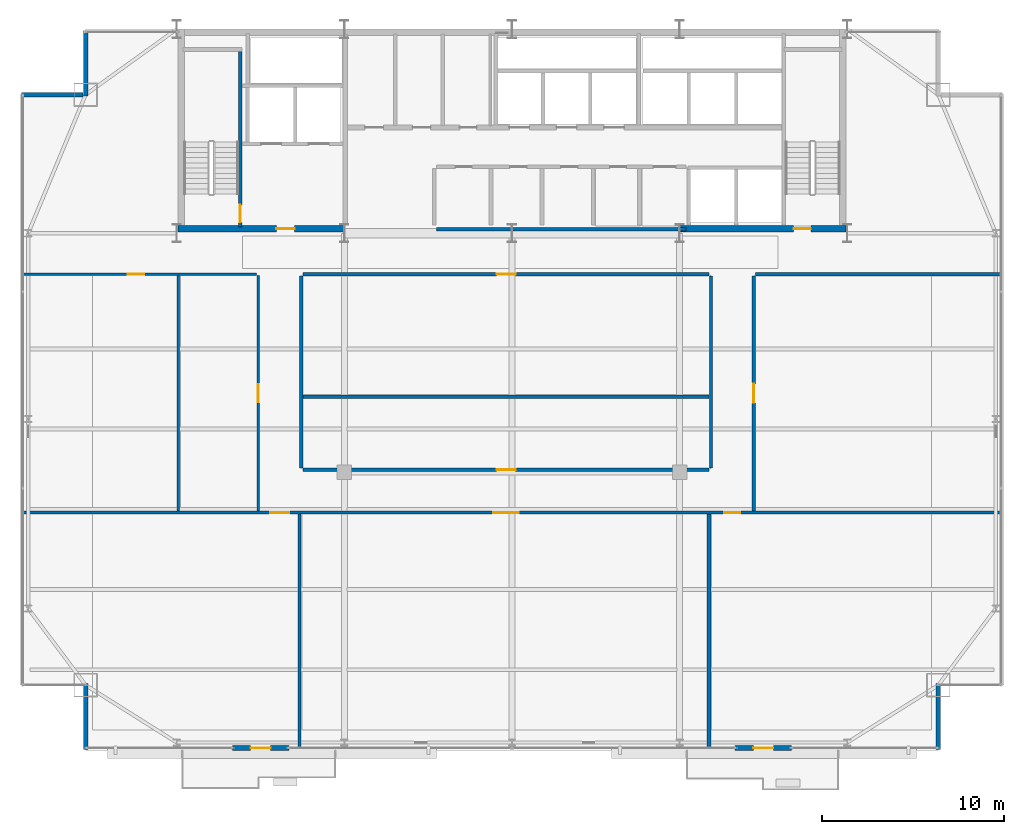
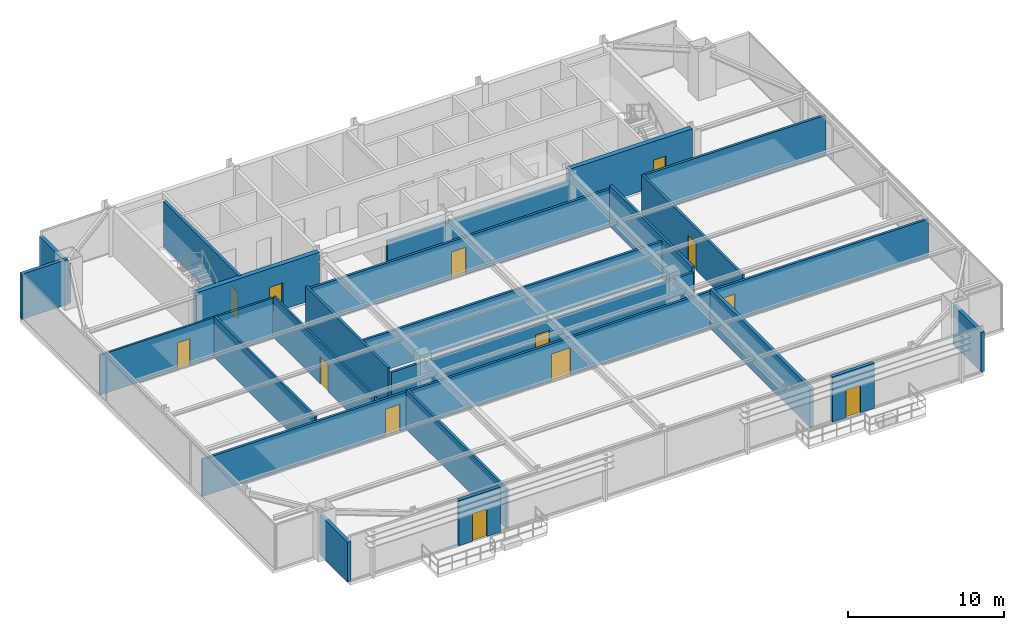
# One storey, part 27 of 31: 23 walls, 13 doors, 13 openings.
"""IFC4 building model written with IfcOpenShell, lengths in metres."""

import ifcopenshell
import ifcopenshell.guid

model = None  # the IFC model being written
_history = None  # IfcOwnerHistory: only IFC2X3 demands one
_inside = {}  # id of a spatial element -> (the spatial element, [elements in it])
_under = {}  # id of a project, library or spatial element -> (it, [spatial elements below it])
_declared = {}  # id of a project -> (the project, [libraries it declares])
_typed = {}  # id of a type object -> (the type object, [elements of that type])
_made_of = {}  # id of a material, layer set ... -> (it, [elements and type objects made of it])


def new_model(schema):
    """Start an empty IFC model of exactly this schema.

    Asked for "IFC4X3", IfcOpenShell would pick the latest addendum, in which some entities
    have other attributes; the version numbers below select the first issue.
    IFC2X3 requires an IfcOwnerHistory on every rooted entity: one is made here for all.
    """
    global model, _history
    if schema == "IFC4X3":
        model = ifcopenshell.file(schema_version=(4, 3, 0, 0))
    else:
        model = ifcopenshell.file(schema=schema)
    _inside.clear()
    _under.clear()
    _declared.clear()
    _typed.clear()
    _made_of.clear()
    _history = None
    if model.schema == "IFC2X3":
        org = make("IfcOrganization", Name="unknown")
        user = make(
            "IfcPersonAndOrganization",
            ThePerson=make("IfcPerson", FamilyName="unknown"),
            TheOrganization=org,
        )
        app = make(
            "IfcApplication",
            ApplicationDeveloper=org,
            Version="unknown",
            ApplicationFullName="unknown",
            ApplicationIdentifier="unknown",
        )
        _history = make(
            "IfcOwnerHistory",
            OwningUser=user,
            OwningApplication=app,
            ChangeAction="ADDED",
            CreationDate=0,
        )
    return model


def make(cls, **values):
    """One entity of the class cls with the attributes given. An attribute that is None is left unset."""
    return model.create_entity(
        cls, **{name: value for name, value in values.items() if value is not None}
    )


def rooted(cls, **values):
    """An entity with a GlobalId (a new one), such as an element, a storey or a relation."""
    return make(cls, GlobalId=ifcopenshell.guid.new(), OwnerHistory=_history, **values)


def si_unit(unit_type, name, prefix=None):
    """IfcSIUnit, for example si_unit("LENGTHUNIT", "METRE", prefix="MILLI")."""
    return make("IfcSIUnit", UnitType=unit_type, Prefix=prefix, Name=name)


def assignment(units):
    """IfcUnitAssignment: the units of a project."""
    return None if units is None else make("IfcUnitAssignment", Units=units)


def point(xyz):
    """IfcCartesianPoint."""
    return None if xyz is None else make("IfcCartesianPoint", Coordinates=xyz)


def direction(xyz):
    """IfcDirection."""
    return None if xyz is None else make("IfcDirection", DirectionRatios=xyz)


def frame(location, z_axis=None, x_axis=None):
    """IfcAxis2Placement3D, a coordinate frame: its origin and axes. An axis left out is left unset."""
    return make(
        "IfcAxis2Placement3D",
        Location=point(location),
        Axis=direction(z_axis),
        RefDirection=direction(x_axis),
    )


def frame_2d(location, x_axis=None):
    """IfcAxis2Placement2D, a coordinate frame in the plane: its origin and x axis."""
    return make(
        "IfcAxis2Placement2D", Location=point(location), RefDirection=direction(x_axis)
    )


def origin():
    """The frame at (0, 0, 0) with its axes left unset."""
    return frame((0.0, 0.0, 0.0))


def place(relative_to, where):
    """IfcLocalPlacement: puts the frame where relative to a parent placement (None: the world)."""
    return make(
        "IfcLocalPlacement", PlacementRelTo=relative_to, RelativePlacement=where
    )


def context(
    kind, dimensions, precision=None, world=None, true_north=None, identifier=None
):
    """IfcGeometricRepresentationContext, for example the 3D "Model" context."""
    return make(
        "IfcGeometricRepresentationContext",
        ContextIdentifier=identifier,
        ContextType=kind,
        CoordinateSpaceDimension=dimensions,
        Precision=precision,
        WorldCoordinateSystem=world,
        TrueNorth=true_north,
    )


def subcontext(parent, identifier, kind, view, scale=None):
    """IfcGeometricRepresentationSubContext, for example "Body" below "Model"."""
    return make(
        "IfcGeometricRepresentationSubContext",
        ContextIdentifier=identifier,
        ContextType=kind,
        ParentContext=parent,
        TargetScale=scale,
        TargetView=view,
    )


def project(units=None, contexts=None):
    """IfcProject with its units and contexts."""
    return rooted(
        "IfcProject",
        Name="project",
        RepresentationContexts=contexts,
        UnitsInContext=assignment(units),
    )


def spatial(cls, under=None, at=None, **own):
    """A site, building, storey or space (cls), placed at a placement, below another one or the project."""
    s = rooted(cls, ObjectPlacement=at, **own)
    if under is not None:
        _under.setdefault(under.id(), (under, []))[1].append(s)
    return s


def profile(cls, at=None, kind="AREA", **sizes):
    """A parametric profile (cls). Its sizes go by their IFC names, for example OverallWidth=200.0."""
    return make(cls, ProfileType=kind, Position=at, **sizes)


def rectangle(**sizes):
    """IfcRectangleProfileDef."""
    return profile("IfcRectangleProfileDef", **sizes)


def extrude(swept, where, along, depth):
    """IfcExtrudedAreaSolid: the profile swept, set in the frame where, extruded along a direction by depth."""
    return make(
        "IfcExtrudedAreaSolid",
        SweptArea=swept,
        Position=where,
        ExtrudedDirection=direction(along),
        Depth=depth,
    )


def shape(context_of_items, identifier, shape_type, items):
    """IfcShapeRepresentation: the items that make up one representation, for example the "Body"."""
    return make(
        "IfcShapeRepresentation",
        ContextOfItems=context_of_items,
        RepresentationIdentifier=identifier,
        RepresentationType=shape_type,
        Items=items,
    )


def source(mapping_origin, context_of_items, identifier, shape_type, items):
    """IfcRepresentationMap: a shape defined once, which mapped items show again and again."""
    return make(
        "IfcRepresentationMap",
        MappingOrigin=mapping_origin,
        MappedRepresentation=shape(context_of_items, identifier, shape_type, items),
    )


def transform(
    local_origin,
    x_axis=None,
    y_axis=None,
    z_axis=None,
    scale=None,
    scale2=None,
    scale3=None,
    uniform=True,
):
    """IfcCartesianTransformationOperator3D, or its non-uniform kind. x_axis, y_axis, z_axis: its Axis1, 2, 3."""
    if uniform:
        return make(
            "IfcCartesianTransformationOperator3D",
            Axis1=direction(x_axis),
            Axis2=direction(y_axis),
            LocalOrigin=point(local_origin),
            Scale=scale,
            Axis3=direction(z_axis),
        )
    return make(
        "IfcCartesianTransformationOperator3DnonUniform",
        Axis1=direction(x_axis),
        Axis2=direction(y_axis),
        LocalOrigin=point(local_origin),
        Scale=scale,
        Axis3=direction(z_axis),
        Scale2=scale2,
        Scale3=scale3,
    )


def mapped(mapping_source, mapping_target):
    """IfcMappedItem: shows the shape of a source again, moved by a transform."""
    return make(
        "IfcMappedItem", MappingSource=mapping_source, MappingTarget=mapping_target
    )


def material(Name=None, Category=None):
    """IfcMaterial."""
    return make("IfcMaterial", Name=Name, Category=Category)


def layer(
    of_material, thickness, ventilated=None, Name=None, Category=None, Priority=None
):
    """IfcMaterialLayer: one layer of a wall or slab, of a material (None: an air gap)."""
    return make(
        "IfcMaterialLayer",
        Material=of_material,
        LayerThickness=thickness,
        IsVentilated=ventilated,
        Name=Name,
        Category=Category,
        Priority=Priority,
    )


def layer_set(layers, Name=None):
    """IfcMaterialLayerSet."""
    return make("IfcMaterialLayerSet", MaterialLayers=layers, LayerSetName=Name)


def made_of(thing, what):
    """Note that an element or type object is made of a material, layer set ...; save() writes the relation."""
    if what is not None:
        _made_of.setdefault(what.id(), (what, []))[1].append(thing)
    return thing


def type_object(cls, material=None, **own):
    """A type object (cls), such as IfcWallType, which elements share."""
    return made_of(rooted(cls, **own), material)


def type_shapes(of_type, sources):
    """Give a type object the sources (RepresentationMaps) that its elements show as mapped items."""
    of_type.RepresentationMaps = sources


def element(
    cls,
    number,
    at=None,
    inside=None,
    cuts=None,
    type_object=None,
    material=None,
    context=None,
    identifier="Body",
    shape_type=None,
    held_by="IfcProductDefinitionShape",
    body=None,
    shapes=None,
    **own,
):
    """One element of the class cls, such as IfcWall. Its Tag is "e" and its number.

    at: its placement. inside: the storey or other place that contains it. cuts: it is an
    opening in that element (IfcRelVoidsElement). A single representation is given by context,
    identifier, shape_type and body (its items); several are given by shapes. held_by: the class
    of the entity that holds the representations. save() writes the other relations.
    """
    e = rooted(cls, Tag="e%d" % number, ObjectPlacement=at, **own)
    if body is not None:
        shapes = [shape(context, identifier, shape_type, body)]
    if shapes is not None:
        e.Representation = make(held_by, Representations=shapes)
    if inside is not None:
        _inside.setdefault(inside.id(), (inside, []))[1].append(e)
    if cuts is not None:
        rooted(
            "IfcRelVoidsElement", RelatingBuildingElement=cuts, RelatedOpeningElement=e
        )
    if type_object is not None:
        _typed.setdefault(type_object.id(), (type_object, []))[1].append(e)
    return made_of(e, material)


def fill(opening, filler):
    """IfcRelFillsElement: the door or window that sits in an opening."""
    return rooted(
        "IfcRelFillsElement",
        RelatingOpeningElement=opening,
        RelatedBuildingElement=filler,
    )


def aggregate(whole, parts):
    """IfcRelAggregates: a whole, such as a stair, and the parts it consists of."""
    return rooted("IfcRelAggregates", RelatingObject=whole, RelatedObjects=parts)


def save(model, path):
    """Write the relations noted so far, then the file.

    IfcRelAggregates (storeys below a building ...), IfcRelContainedInSpatialStructure (elements
    in a storey), IfcRelDefinesByType, IfcRelAssociatesMaterial and IfcRelDeclares: one each for
    every whole, place, type object, material and project.
    """
    for whole, parts in _under.values():
        aggregate(whole, parts)
    for where, things in _inside.values():
        rooted(
            "IfcRelContainedInSpatialStructure",
            RelatedElements=things,
            RelatingStructure=where,
        )
    for kind, things in _typed.values():
        rooted("IfcRelDefinesByType", RelatedObjects=things, RelatingType=kind)
    for what, things in _made_of.values():
        rooted("IfcRelAssociatesMaterial", RelatedObjects=things, RelatingMaterial=what)
    for by, libraries in _declared.values():
        rooted("IfcRelDeclares", RelatingContext=by, RelatedDefinitions=libraries)
    model.write(path)


model = new_model("IFC4")

# Units and contexts
model_context = context("Model", 3, precision=1e-05, world=origin(), true_north=direction((0.0, 1.0)))
body_context = subcontext(model_context, "Body", "Model", "MODEL_VIEW")
ifc_project = project(units=[si_unit("LENGTHUNIT", "METRE"), si_unit("AREAUNIT", "SQUARE_METRE"), si_unit("VOLUMEUNIT", "CUBIC_METRE"), si_unit("PLANEANGLEUNIT", "RADIAN"), si_unit("MASSUNIT", "GRAM", prefix="KILO")], contexts=[model_context])

# Site, building, storey
site_placement = place(None, origin())
site = spatial("IfcSite", under=ifc_project, at=site_placement, CompositionType="ELEMENT")
building_placement = place(site_placement, origin())
building = spatial("IfcBuilding", under=site, at=building_placement, Name="Varnel Quay Broadcast Tower", CompositionType="ELEMENT")
storey_placement = place(building_placement, frame((0.0, 0.0, 153.39990234375)))
storey = spatial("IfcBuildingStorey", under=building, at=storey_placement, Name="L37", CompositionType="ELEMENT", Elevation=153.39990234375)

# Wall, opening, door
ifc_material_1 = material(Name="Concrete CSA A23.3 C50/60", Category="concrete")
ifc_layer_1 = layer(ifc_material_1, 0.199951171875, Name="Concrete CSA A23.3 C50/60")
ifc_layer_set_1 = layer_set([ifc_layer_1], Name="Concrete CSA A23.3 C50/60")
wall_type_1 = type_object("IfcWallType", Name="Wall_CoreShaftShear200", PredefinedType="SHEAR", material=ifc_layer_set_1)
wall_1_placement = place(storey_placement, frame((19.080078125, 35.949951171875, 0.0), z_axis=(0.0, 0.0, 1.0), x_axis=(0.0, 1.0, 0.0)))
wall_1 = element("IfcWall", 1, at=wall_1_placement, inside=storey, type_object=wall_type_1, Name="L37 Stair 1 East Structural Wall", PredefinedType="SHEAR", context=body_context, shape_type="SweptSolid", body=[
    extrude(rectangle(XDim=9.650146484375, YDim=0.199951171875, at=frame_2d((4.8251953125, 0.0))), origin(), (0.0, 0.0, 1.0), 3.550048828125),
])
opening_1_placement = place(wall_1_placement, frame((0.25, 0.0, 0.0)))
opening_1 = element("IfcOpeningElement", 2, at=opening_1_placement, cuts=wall_1, Name="Opening D-L37-S1", PredefinedType="OPENING", context=body_context, shape_type="SweptSolid", body=[
    extrude(rectangle(XDim=0.949951171875, YDim=2.10009765625, at=frame_2d((0.47509765625, 1.050048828125))), frame((0.0, 0.10986328125, 0.0), z_axis=(0.0, -1.0, 0.0), x_axis=(1.0, 0.0, 0.0)), (0.0, 0.0, 1.0), 0.219970703125),
])
ifc_material_2 = material(Name="Insulated Fire-Rated Hollow Steel Door", Category="steel")
door_type_1 = type_object("IfcDoorType", Name="Door_FireStair950", OperationType="NOTDEFINED", PredefinedType="DOOR", material=ifc_material_2)
shared_shape_1 = source(origin(), body_context, "Body", "SweptSolid", [
    extrude(rectangle(XDim=0.949951171875, YDim=2.10009765625, at=frame_2d((0.47509765625, 1.050048828125))), frame((0.0, 0.02490234375, 0.0), z_axis=(0.0, -1.0, 0.0), x_axis=(1.0, 0.0, 0.0)), (0.0, 0.0, 1.0), 0.050048828125),
])
type_shapes(door_type_1, [shared_shape_1])
door_1_placement = place(opening_1_placement, origin())
door_1 = element("IfcDoor", 3, at=door_1_placement, inside=storey, type_object=door_type_1, Name="L37 Stair 1 Fire Door", OperationType="SINGLE_SWING_RIGHT", OverallHeight=2.10009765625, OverallWidth=0.949951171875, PredefinedType="DOOR", context=body_context, shape_type="MappedRepresentation", body=[
    mapped(shared_shape_1, transform((0.0, 0.0, 0.0), x_axis=(1.0, 0.0, 0.0), y_axis=(0.0, 1.0, 0.0), z_axis=(0.0, 0.0, 1.0), scale=1.0)),
])
fill(opening_1, door_1)

ifc_layer_2 = layer(ifc_material_1, 0.35009765625, Name="Concrete CSA A23.3 C50/60")
ifc_layer_set_2 = layer_set([ifc_layer_2], Name="Concrete CSA A23.3 C50/60")
wall_type_2 = type_object("IfcWallType", Name="Wall_CoreShearInt350", PredefinedType="SHEAR", material=ifc_layer_set_2)
wall_2_placement = place(storey_placement, frame((15.669921875, 35.844970703125, 0.0), z_axis=(0.0, 0.0, 1.0), x_axis=(1.0, 0.0, 0.0)))
wall_2 = element("IfcWall", 4, at=wall_2_placement, inside=storey, type_object=wall_type_2, Name="L37 South-West Core Shear Wall", PredefinedType="SHEAR", context=body_context, shape_type="SweptSolid", body=[
    extrude(rectangle(XDim=9.130126953125, YDim=0.35009765625, at=frame_2d((4.56494140625, 0.0))), origin(), (0.0, 0.0, 1.0), 3.550048828125),
])
opening_2_placement = place(wall_2_placement, frame((5.39990234375, 0.0, 0.0)))
opening_2 = element("IfcOpeningElement", 5, at=opening_2_placement, cuts=wall_2, Name="Opening D-L37-FFL", PredefinedType="OPENING", context=body_context, shape_type="SweptSolid", body=[
    extrude(rectangle(XDim=1.0, YDim=2.10009765625, at=frame_2d((0.5, 1.050048828125))), frame((0.0, 0.18505859375, 0.0), z_axis=(0.0, -1.0, 0.0), x_axis=(1.0, 0.0, 0.0)), (0.0, 0.0, 1.0), 0.3701171875),
])
door_type_2 = type_object("IfcDoorType", Name="Door_FireLobby1000", OperationType="NOTDEFINED", PredefinedType="DOOR", material=ifc_material_2)
shared_shape_2 = source(origin(), body_context, "Body", "SweptSolid", [
    extrude(rectangle(XDim=1.0, YDim=2.10009765625, at=frame_2d((0.5, 1.050048828125))), frame((0.0, 0.02490234375, 0.0), z_axis=(0.0, -1.0, 0.0), x_axis=(1.0, 0.0, 0.0)), (0.0, 0.0, 1.0), 0.050048828125),
])
type_shapes(door_type_2, [shared_shape_2])
door_2_placement = place(opening_2_placement, origin())
door_2 = element("IfcDoor", 6, at=door_2_placement, inside=storey, type_object=door_type_2, Name="L37 Firefighting Lobby Door", OperationType="SINGLE_SWING_LEFT", OverallHeight=2.10009765625, OverallWidth=1.0, PredefinedType="DOOR", context=body_context, shape_type="MappedRepresentation", body=[
    mapped(shared_shape_2, transform((0.0, 0.0, 0.0), x_axis=(1.0, 0.0, 0.0), y_axis=(0.0, 1.0, 0.0), z_axis=(0.0, 0.0, 1.0), scale=1.0)),
])
fill(opening_2, door_2)

wall_3_placement = place(storey_placement, frame((43.199951171875, 35.844970703125, 0.0), z_axis=(0.0, 0.0, 1.0), x_axis=(1.0, 0.0, 0.0)))
wall_3 = element("IfcWall", 7, at=wall_3_placement, inside=storey, type_object=wall_type_2, Name="L37 South-East Core Shear Wall", PredefinedType="SHEAR", context=body_context, shape_type="SweptSolid", body=[
    extrude(rectangle(XDim=9.130126953125, YDim=0.35009765625, at=frame_2d((4.56494140625, 0.0))), origin(), (0.0, 0.0, 1.0), 3.550048828125),
])
opening_3_placement = place(wall_3_placement, frame((6.25, 0.0, 0.0)))
opening_3 = element("IfcOpeningElement", 8, at=opening_3_placement, cuts=wall_3, Name="Opening D-L37-S2", PredefinedType="OPENING", context=body_context, shape_type="SweptSolid", body=[
    extrude(rectangle(XDim=0.949951171875, YDim=2.10009765625, at=frame_2d((0.47509765625, 1.050048828125))), frame((0.0, 0.18505859375, 0.0), z_axis=(0.0, -1.0, 0.0), x_axis=(1.0, 0.0, 0.0)), (0.0, 0.0, 1.0), 0.3701171875),
])
door_3_placement = place(opening_3_placement, origin())
door_3 = element("IfcDoor", 9, at=door_3_placement, inside=storey, type_object=door_type_1, Name="L37 Stair 2 Fire Door", OperationType="SINGLE_SWING_RIGHT", OverallHeight=2.10009765625, OverallWidth=0.949951171875, PredefinedType="DOOR", context=body_context, shape_type="MappedRepresentation", body=[
    mapped(shared_shape_1, transform((0.0, 0.0, 0.0), x_axis=(1.0, 0.0, 0.0), y_axis=(0.0, 1.0, 0.0), z_axis=(0.0, 0.0, 1.0), scale=1.0)),
])
fill(opening_3, door_3)

ifc_material_3 = material(Name="Precast Architectural Concrete C40/50", Category="concrete")
ifc_layer_3 = layer(ifc_material_3, 0.25, Name="Precast Architectural Concrete C40/50")
ifc_layer_set_3 = layer_set([ifc_layer_3], Name="Precast Architectural Concrete C40/50")
wall_type_3 = type_object("IfcWallType", Name="Wall_ExtTerrace250", PredefinedType="SOLIDWALL", material=ifc_layer_set_3)
wall_4_placement = place(storey_placement, frame((18.64990234375, 7.35009765625, 0.0), z_axis=(0.0, 0.0, 1.0), x_axis=(1.0, 0.0, 0.0)))
wall_4 = element("IfcWall", 10, at=wall_4_placement, inside=storey, type_object=wall_type_3, Name="L37 Terrace Access Wall 1", PredefinedType="SOLIDWALL", context=body_context, shape_type="SweptSolid", body=[
    extrude(rectangle(XDim=3.10009765625, YDim=0.25, at=frame_2d((1.550048828125, 0.0))), origin(), (0.0, 0.0, 1.0), 3.530029296875),
])
opening_4_placement = place(wall_4_placement, frame((1.0, 0.0, 0.0)))
opening_4 = element("IfcOpeningElement", 11, at=opening_4_placement, cuts=wall_4, Name="Opening TD-371", PredefinedType="OPENING", context=body_context, shape_type="SweptSolid", body=[
    extrude(rectangle(XDim=1.10009765625, YDim=2.14990234375, at=frame_2d((0.550048828125, 1.074951171875))), frame((0.0, 0.135009765625, 0.0), z_axis=(0.0, -1.0, 0.0), x_axis=(1.0, 0.0, 0.0)), (0.0, 0.0, 1.0), 0.27001953125),
])
ifc_material_4 = material(Name="Anodised Bronze Aluminium 6063-T6", Category="aluminium")
door_type_3 = type_object("IfcDoorType", Name="Door_ExtTerrace1100", OperationType="NOTDEFINED", PredefinedType="DOOR", material=ifc_material_4)
shared_shape_3 = source(origin(), body_context, "Body", "SweptSolid", [
    extrude(rectangle(XDim=1.10009765625, YDim=2.14990234375, at=frame_2d((0.550048828125, 1.074951171875))), frame((0.0, 0.02490234375, 0.0), z_axis=(0.0, -1.0, 0.0), x_axis=(1.0, 0.0, 0.0)), (0.0, 0.0, 1.0), 0.050048828125),
])
type_shapes(door_type_3, [shared_shape_3])
door_4_placement = place(opening_4_placement, frame((1.10009765625, 0.0, 0.0), z_axis=(0.0, 0.0, 1.0), x_axis=(-1.0, 0.0, 0.0)))
door_4 = element("IfcDoor", 12, at=door_4_placement, inside=storey, type_object=door_type_3, Name="L37 Terrace Door TD-371", OperationType="SINGLE_SWING_LEFT", OverallHeight=2.14990234375, OverallWidth=1.10009765625, PredefinedType="DOOR", context=body_context, shape_type="MappedRepresentation", body=[
    mapped(shared_shape_3, transform((0.0, 0.0, 0.0), x_axis=(1.0, 0.0, 0.0), y_axis=(0.0, 1.0, 0.0), z_axis=(0.0, 0.0, 1.0), scale=1.0)),
])
fill(opening_4, door_4)

wall_5_placement = place(storey_placement, frame((46.25, 7.35009765625, 0.0), z_axis=(0.0, 0.0, 1.0), x_axis=(1.0, 0.0, 0.0)))
wall_5 = element("IfcWall", 13, at=wall_5_placement, inside=storey, type_object=wall_type_3, Name="L37 Terrace Access Wall 2", PredefinedType="SOLIDWALL", context=body_context, shape_type="SweptSolid", body=[
    extrude(rectangle(XDim=3.10009765625, YDim=0.25, at=frame_2d((1.550048828125, 0.0))), origin(), (0.0, 0.0, 1.0), 3.530029296875),
])
opening_5_placement = place(wall_5_placement, frame((1.0, 0.0, 0.0)))
opening_5 = element("IfcOpeningElement", 14, at=opening_5_placement, cuts=wall_5, Name="Opening TD-372", PredefinedType="OPENING", context=body_context, shape_type="SweptSolid", body=[
    extrude(rectangle(XDim=1.10009765625, YDim=2.14990234375, at=frame_2d((0.550048828125, 1.074951171875))), frame((0.0, 0.135009765625, 0.0), z_axis=(0.0, -1.0, 0.0), x_axis=(1.0, 0.0, 0.0)), (0.0, 0.0, 1.0), 0.27001953125),
])
door_5_placement = place(opening_5_placement, frame((1.10009765625, 0.0, 0.0), z_axis=(0.0, 0.0, 1.0), x_axis=(-1.0, 0.0, 0.0)))
door_5 = element("IfcDoor", 15, at=door_5_placement, inside=storey, type_object=door_type_3, Name="L37 Terrace Door TD-372", OperationType="SINGLE_SWING_RIGHT", OverallHeight=2.14990234375, OverallWidth=1.10009765625, PredefinedType="DOOR", context=body_context, shape_type="MappedRepresentation", body=[
    mapped(shared_shape_3, transform((0.0, 0.0, 0.0), x_axis=(1.0, 0.0, 0.0), y_axis=(0.0, 1.0, 0.0), z_axis=(0.0, 0.0, 1.0), scale=1.0)),
])
fill(opening_5, door_5)

# Walls
for number, where, z_axis, x_axis, name in (
    (16, (10.60009765625, 7.280029296875, 0.0), (0.0, 0.0, 1.0), (0.0, 1.0, 0.0), "L37 Mega-Column Notch Cladding Wall NSW2"),
    (17, (57.39990234375, 7.280029296875, 0.0), (0.0, 0.0, 1.0), (0.0, 1.0, 0.0), "L37 Mega-Column Notch Cladding Wall NSE2"),
):
    element("IfcWall", number, at=place(storey_placement, frame(where, z_axis=z_axis, x_axis=x_axis)), inside=storey, type_object=wall_type_3, Name=name, PredefinedType="SOLIDWALL", context=body_context, shape_type="SweptSolid", body=[
        extrude(rectangle(XDim=3.599853515625, YDim=0.25, at=frame_2d((1.7998046875, 0.0))), origin(), (0.0, 0.0, 1.0), 3.108154296875),
    ])
wall_6_placement = place(storey_placement, frame((7.080078125, 43.199951171875, 0.0), z_axis=(0.0, 0.0, 1.0), x_axis=(1.0, 0.0, 0.0)))
element("IfcWall", 18, at=wall_6_placement, inside=storey, type_object=wall_type_3, Name="L37 Mega-Column Notch Cladding Wall NNW1", PredefinedType="SOLIDWALL", context=body_context, shape_type="SweptSolid", body=[
    extrude(rectangle(XDim=3.389892578125, YDim=0.25, at=frame_2d((1.69482421875, 0.0))), origin(), (0.0, 0.0, 1.0), 3.530029296875),
])
wall_7_placement = place(storey_placement, frame((10.60009765625, 43.1201171875, 0.0), z_axis=(0.0, 0.0, 1.0), x_axis=(0.0, 1.0, 0.0)))
element("IfcWall", 19, at=wall_7_placement, inside=storey, type_object=wall_type_3, Name="L37 Mega-Column Notch Cladding Wall NNW2", PredefinedType="SOLIDWALL", context=body_context, shape_type="SweptSolid", body=[
    extrude(rectangle(XDim=3.599853515625, YDim=0.25, at=frame_2d((1.7998046875, 0.0))), origin(), (0.0, 0.0, 1.0), 3.108154296875),
])
ifc_material_5 = material(Name="Concrete Blockwork Fire Enclosure C40/50", Category="masonry")
ifc_layer_4 = layer(ifc_material_5, 0.199951171875, Name="Concrete Blockwork Fire Enclosure C40/50")
ifc_layer_set_4 = layer_set([ifc_layer_4], Name="Concrete Blockwork Fire Enclosure C40/50")
wall_type_4 = type_object("IfcWallType", Name="Wall_FireShaft200", PredefinedType="SOLIDWALL", material=ifc_layer_set_4)
wall_8_placement = place(storey_placement, frame((29.85009765625, 35.824951171875, 0.0), z_axis=(0.0, 0.0, 1.0), x_axis=(1.0, 0.0, 0.0)))
element("IfcWall", 20, at=wall_8_placement, inside=storey, type_object=wall_type_4, Name="L37 Accessible Washroom Partition 1", PredefinedType="SOLIDWALL", context=body_context, shape_type="SweptSolid", body=[
    extrude(rectangle(XDim=13.699951171875, YDim=0.199951171875, at=frame_2d((6.85009765625, 0.0))), origin(), (0.0, 0.0, 1.0), 2.5751953125),
])

# Wall, opening, door
ifc_material_6 = material(Name="Steel-Stud Fire-Rated Acoustic Gypsum Partition Assembly", Category="steel")
ifc_layer_5 = layer(ifc_material_6, 0.139892578125, Name="Steel-Stud Fire-Rated Acoustic Gypsum Partition Assembly")
ifc_layer_set_5 = layer_set([ifc_layer_5], Name="Steel-Stud Fire-Rated Acoustic Gypsum Partition Assembly")
wall_type_5 = type_object("IfcWallType", Name="Wall_Partition140", PredefinedType="PARTITIONING", material=ifc_layer_set_5)
wall_9_placement = place(storey_placement, frame((20.080078125, 20.35693359375, 0.0), z_axis=(0.0, 0.0, 1.0), x_axis=(0.0, 1.0, 0.0)))
wall_9 = element("IfcWall", 21, at=wall_9_placement, inside=storey, type_object=wall_type_5, Name="L37 Reading Lounge 5 Partition 13", PredefinedType="PARTITIONING", context=body_context, shape_type="SweptSolid", body=[
    extrude(rectangle(XDim=12.91796875, YDim=0.139892578125, at=frame_2d((6.458984375, 0.0))), origin(), (0.0, 0.0, 1.0), 3.22216796875),
])
opening_6_placement = place(wall_9_placement, frame((5.952880859375, 0.0, 0.0)))
opening_6 = element("IfcOpeningElement", 22, at=opening_6_placement, cuts=wall_9, Name="Opening D-L37-10", PredefinedType="OPENING", context=body_context, shape_type="SweptSolid", body=[
    extrude(rectangle(XDim=1.0, YDim=2.10009765625, at=frame_2d((0.5, 1.050048828125))), frame((0.0, 0.080078125, 0.0), z_axis=(0.0, -1.0, 0.0), x_axis=(1.0, 0.0, 0.0)), (0.0, 0.0, 1.0), 0.159912109375),
])
ifc_material_7 = material(Name="Solid-Core Fire-Rated Acoustic Oak Veneer Door", Category="wood")
door_type_4 = type_object("IfcDoorType", Name="Door_Exec1000", OperationType="NOTDEFINED", PredefinedType="DOOR", material=ifc_material_7)
shared_shape_4 = source(origin(), body_context, "Body", "SweptSolid", [
    extrude(rectangle(XDim=1.0, YDim=2.10009765625, at=frame_2d((0.5, 1.050048828125))), frame((0.0, 0.02490234375, 0.0), z_axis=(0.0, -1.0, 0.0), x_axis=(1.0, 0.0, 0.0)), (0.0, 0.0, 1.0), 0.050048828125),
])
type_shapes(door_type_4, [shared_shape_4])
door_6_placement = place(opening_6_placement, origin())
door_6 = element("IfcDoor", 23, at=door_6_placement, inside=storey, type_object=door_type_4, Name="L37 Reading Lounge 5 Door D-L37-10", OperationType="SINGLE_SWING_RIGHT", OverallHeight=2.10009765625, OverallWidth=1.0, PredefinedType="DOOR", context=body_context, shape_type="MappedRepresentation", body=[
    mapped(shared_shape_4, transform((0.0, 0.0, 0.0), x_axis=(1.0, 0.0, 0.0), y_axis=(0.0, 1.0, 0.0), z_axis=(0.0, 0.0, 1.0), scale=1.0)),
])
fill(opening_6, door_6)

# Wall
ifc_layer_6 = layer(ifc_material_6, 0.14990234375, Name="Steel-Stud Fire-Rated Acoustic Gypsum Partition Assembly")
ifc_layer_set_6 = layer_set([ifc_layer_6], Name="Steel-Stud Fire-Rated Acoustic Gypsum Partition Assembly")
wall_type_6 = type_object("IfcWallType", Name="Wall_Partition150", PredefinedType="PARTITIONING", material=ifc_layer_set_6)
wall_10_placement = place(storey_placement, frame((15.679931640625, 20.35693359375, 0.0), z_axis=(0.0, 0.0, 1.0), x_axis=(0.0, 1.0, 0.0)))
element("IfcWall", 24, at=wall_10_placement, inside=storey, type_object=wall_type_6, Name="L37 Bureau Office 4 Partition 11", PredefinedType="PARTITIONING", context=body_context, shape_type="SweptSolid", body=[
    extrude(rectangle(XDim=12.91796875, YDim=0.14990234375, at=frame_2d((6.458984375, 0.0))), origin(), (0.0, 0.0, 1.0), 3.22216796875),
])

# Wall, opening, door
wall_11_placement = place(storey_placement, frame((7.179931640625, 33.35009765625, 0.0), z_axis=(0.0, 0.0, 1.0), x_axis=(1.0, 0.0, 0.0)))
wall_11 = element("IfcWall", 25, at=wall_11_placement, inside=storey, type_object=wall_type_6, Name="L37 Bureau Office 4 Partition 12", PredefinedType="PARTITIONING", context=body_context, shape_type="SweptSolid", body=[
    extrude(rectangle(XDim=12.800048828125, YDim=0.14990234375, at=frame_2d((6.39990234375, 0.0))), origin(), (0.0, 0.0, 1.0), 3.108154296875),
])
opening_7_placement = place(wall_11_placement, frame((5.72509765625, 0.0, 0.0)))
opening_7 = element("IfcOpeningElement", 26, at=opening_7_placement, cuts=wall_11, Name="Opening D-L37-09", PredefinedType="OPENING", context=body_context, shape_type="SweptSolid", body=[
    extrude(rectangle(XDim=0.919921875, YDim=2.080078125, at=frame_2d((0.4599609375, 1.0400390625))), frame((0.0, 0.0849609375, 0.0), z_axis=(0.0, -1.0, 0.0), x_axis=(1.0, 0.0, 0.0)), (0.0, 0.0, 1.0), 0.169921875),
])
door_type_5 = type_object("IfcDoorType", Name="Door_Office920", OperationType="NOTDEFINED", PredefinedType="DOOR", material=ifc_material_7)
shared_shape_5 = source(origin(), body_context, "Body", "SweptSolid", [
    extrude(rectangle(XDim=0.919921875, YDim=2.080078125, at=frame_2d((0.4599609375, 1.0400390625))), frame((0.0, 0.02490234375, 0.0), z_axis=(0.0, -1.0, 0.0), x_axis=(1.0, 0.0, 0.0)), (0.0, 0.0, 1.0), 0.050048828125),
])
type_shapes(door_type_5, [shared_shape_5])
door_7_placement = place(opening_7_placement, frame((0.919921875, 0.0, 0.0), z_axis=(0.0, 0.0, 1.0), x_axis=(-1.0, 0.0, 0.0)))
door_7 = element("IfcDoor", 27, at=door_7_placement, inside=storey, type_object=door_type_5, Name="L37 Bureau Office 4 Door D-L37-09", OperationType="SINGLE_SWING_LEFT", OverallHeight=2.080078125, OverallWidth=0.919921875, PredefinedType="DOOR", context=body_context, shape_type="MappedRepresentation", body=[
    mapped(shared_shape_5, transform((0.0, 0.0, 0.0), x_axis=(1.0, 0.0, 0.0), y_axis=(0.0, 1.0, 0.0), z_axis=(0.0, 0.0, 1.0), scale=1.0)),
])
fill(opening_7, door_7)

# Wall
ifc_layer_7 = layer(ifc_material_6, 0.175048828125, Name="Steel-Stud Fire-Rated Acoustic Gypsum Partition Assembly")
ifc_layer_set_7 = layer_set([ifc_layer_7], Name="Steel-Stud Fire-Rated Acoustic Gypsum Partition Assembly")
wall_type_7 = type_object("IfcWallType", Name="Wall_Partition175", PredefinedType="PARTITIONING", material=ifc_layer_set_7)
wall_12_placement = place(storey_placement, frame((22.330078125, 7.3798828125, 0.0), z_axis=(0.0, 0.0, 1.0), x_axis=(0.0, 1.0, 0.0)))
element("IfcWall", 28, at=wall_12_placement, inside=storey, type_object=wall_type_7, Name="L37 Editorial Huddle Room 1 Partition 8", PredefinedType="PARTITIONING", context=body_context, shape_type="SweptSolid", body=[
    extrude(rectangle(XDim=12.80322265625, YDim=0.175048828125, at=frame_2d((6.401611328125, 0.0))), origin(), (0.0, 0.0, 1.0), 3.108154296875),
])

# Wall, openings, doors
wall_13_placement = place(storey_placement, frame((7.179931640625, 20.27001953125, 0.0), z_axis=(0.0, 0.0, 1.0), x_axis=(1.0, 0.0, 0.0)))
wall_13 = element("IfcWall", 29, at=wall_13_placement, inside=storey, type_object=wall_type_7, Name="L37 Editorial Huddle Room 1 Partition 9", PredefinedType="PARTITIONING", context=body_context, shape_type="SweptSolid", body=[
    extrude(rectangle(XDim=53.64013671875, YDim=0.175048828125, at=frame_2d((26.820068359375, 0.0))), origin(), (0.0, 0.0, 1.0), 2.9091796875),
])
opening_8_placement = place(wall_13_placement, frame((13.550048828125, 0.0, 0.0)))
opening_8 = element("IfcOpeningElement", 30, at=opening_8_placement, cuts=wall_13, Name="Opening D-L37-06", PredefinedType="OPENING", context=body_context, shape_type="SweptSolid", body=[
    extrude(rectangle(XDim=1.050048828125, YDim=2.10009765625, at=frame_2d((0.52490234375, 1.050048828125))), frame((0.0, 0.09765625, 0.0), z_axis=(0.0, -1.0, 0.0), x_axis=(1.0, 0.0, 0.0)), (0.0, 0.0, 1.0), 0.195068359375),
])
opening_9_placement = place(wall_13_placement, frame((25.794921875, 0.0, 0.0)))
opening_9 = element("IfcOpeningElement", 31, at=opening_9_placement, cuts=wall_13, Name="Opening D-L37-07", PredefinedType="OPENING", context=body_context, shape_type="SweptSolid", body=[
    extrude(rectangle(XDim=1.39990234375, YDim=2.1201171875, at=frame_2d((0.699951171875, 1.06005859375))), frame((0.0, 0.09765625, 0.0), z_axis=(0.0, -1.0, 0.0), x_axis=(1.0, 0.0, 0.0)), (0.0, 0.0, 1.0), 0.195068359375),
])
opening_10_placement = place(wall_13_placement, frame((38.47509765625, 0.0, 0.0)))
opening_10 = element("IfcOpeningElement", 32, at=opening_10_placement, cuts=wall_13, Name="Opening D-L37-08", PredefinedType="OPENING", context=body_context, shape_type="SweptSolid", body=[
    extrude(rectangle(XDim=0.8798828125, YDim=2.06005859375, at=frame_2d((0.43994140625, 1.030029296875))), frame((0.0, 0.09765625, 0.0), z_axis=(0.0, -1.0, 0.0), x_axis=(1.0, 0.0, 0.0)), (0.0, 0.0, 1.0), 0.195068359375),
])
door_type_6 = type_object("IfcDoorType", Name="Door_Booth880", OperationType="NOTDEFINED", PredefinedType="DOOR", material=ifc_material_7)
shared_shape_6 = source(origin(), body_context, "Body", "SweptSolid", [
    extrude(rectangle(XDim=0.8798828125, YDim=2.06005859375, at=frame_2d((0.43994140625, 1.030029296875))), frame((0.0, 0.02490234375, 0.0), z_axis=(0.0, -1.0, 0.0), x_axis=(1.0, 0.0, 0.0)), (0.0, 0.0, 1.0), 0.050048828125),
])
type_shapes(door_type_6, [shared_shape_6])
door_8_placement = place(opening_10_placement, frame((0.8798828125, 0.0, 0.0), z_axis=(0.0, 0.0, 1.0), x_axis=(-1.0, 0.0, 0.0)))
door_8 = element("IfcDoor", 33, at=door_8_placement, inside=storey, type_object=door_type_6, Name="L37 Catering Kitchen 3 Door D-L37-08", OperationType="SINGLE_SWING_RIGHT", OverallHeight=2.06005859375, OverallWidth=0.8798828125, PredefinedType="DOOR", context=body_context, shape_type="MappedRepresentation", body=[
    mapped(shared_shape_6, transform((0.0, 0.0, 0.0), x_axis=(1.0, 0.0, 0.0), y_axis=(0.0, 1.0, 0.0), z_axis=(0.0, 0.0, 1.0), scale=1.0)),
])
fill(opening_10, door_8)
door_type_7 = type_object("IfcDoorType", Name="Door_Meeting1050", OperationType="NOTDEFINED", PredefinedType="DOOR", material=ifc_material_7)
shared_shape_7 = source(origin(), body_context, "Body", "SweptSolid", [
    extrude(rectangle(XDim=1.050048828125, YDim=2.10009765625, at=frame_2d((0.52490234375, 1.050048828125))), frame((0.0, 0.02490234375, 0.0), z_axis=(0.0, -1.0, 0.0), x_axis=(1.0, 0.0, 0.0)), (0.0, 0.0, 1.0), 0.050048828125),
])
type_shapes(door_type_7, [shared_shape_7])
door_9_placement = place(opening_8_placement, frame((1.050048828125, 0.0, 0.0), z_axis=(0.0, 0.0, 1.0), x_axis=(-1.0, 0.0, 0.0)))
door_9 = element("IfcDoor", 34, at=door_9_placement, inside=storey, type_object=door_type_7, Name="L37 Editorial Huddle Room 1 Door D-L37-06", OperationType="SINGLE_SWING_LEFT", OverallHeight=2.10009765625, OverallWidth=1.050048828125, PredefinedType="DOOR", context=body_context, shape_type="MappedRepresentation", body=[
    mapped(shared_shape_7, transform((0.0, 0.0, 0.0), x_axis=(1.0, 0.0, 0.0), y_axis=(0.0, 1.0, 0.0), z_axis=(0.0, 0.0, 1.0), scale=1.0)),
])
fill(opening_8, door_9)
door_type_8 = type_object("IfcDoorType", Name="Door_Gallery1400", OperationType="DOUBLE_DOOR_SINGLE_SWING", PredefinedType="DOOR", material=ifc_material_7)
shared_shape_8 = source(origin(), body_context, "Body", "SweptSolid", [
    extrude(rectangle(XDim=1.39990234375, YDim=2.1201171875, at=frame_2d((0.699951171875, 1.06005859375))), frame((0.0, 0.02490234375, 0.0), z_axis=(0.0, -1.0, 0.0), x_axis=(1.0, 0.0, 0.0)), (0.0, 0.0, 1.0), 0.050048828125),
])
type_shapes(door_type_8, [shared_shape_8])
door_10_placement = place(opening_9_placement, frame((1.39990234375, 0.0, 0.0), z_axis=(0.0, 0.0, 1.0), x_axis=(-1.0, 0.0, 0.0)))
door_10 = element("IfcDoor", 35, at=door_10_placement, inside=storey, type_object=door_type_8, Name="L37 Journalism Training Studio 2 Door D-L37-07", OperationType="DOUBLE_DOOR_SINGLE_SWING", OverallHeight=2.1201171875, OverallWidth=1.39990234375, PredefinedType="DOOR", context=body_context, shape_type="MappedRepresentation", body=[
    mapped(shared_shape_8, transform((0.0, 0.0, 0.0), x_axis=(1.0, 0.0, 0.0), y_axis=(0.0, 1.0, 0.0), z_axis=(0.0, 0.0, 1.0), scale=1.0)),
])
fill(opening_9, door_10)

# Wall, opening, door
wall_14_placement = place(storey_placement, frame((22.530029296875, 22.6201171875, 0.0), z_axis=(0.0, 0.0, 1.0), x_axis=(1.0, 0.0, 0.0)))
wall_14 = element("IfcWall", 36, at=wall_14_placement, inside=storey, type_object=wall_type_7, Name="L37 Broadcast Seminar Room 6 Partition 14", PredefinedType="PARTITIONING", context=body_context, shape_type="SweptSolid", body=[
    extrude(rectangle(XDim=22.2900390625, YDim=0.175048828125, at=frame_2d((11.14501953125, 0.0))), origin(), (0.0, 0.0, 1.0), 2.9091796875),
])
opening_11_placement = place(wall_14_placement, frame((10.6201171875, 0.0, 0.0)))
opening_11 = element("IfcOpeningElement", 37, at=opening_11_placement, cuts=wall_14, Name="Opening D-L37-11", PredefinedType="OPENING", context=body_context, shape_type="SweptSolid", body=[
    extrude(rectangle(XDim=1.050048828125, YDim=2.10009765625, at=frame_2d((0.52490234375, 1.050048828125))), frame((0.0, 0.09765625, 0.0), z_axis=(0.0, -1.0, 0.0), x_axis=(1.0, 0.0, 0.0)), (0.0, 0.0, 1.0), 0.195068359375),
])
door_11_placement = place(opening_11_placement, origin())
door_11 = element("IfcDoor", 38, at=door_11_placement, inside=storey, type_object=door_type_7, Name="L37 Broadcast Seminar Room 6 Door D-L37-11", OperationType="SINGLE_SWING_LEFT", OverallHeight=2.10009765625, OverallWidth=1.050048828125, PredefinedType="DOOR", context=body_context, shape_type="MappedRepresentation", body=[
    mapped(shared_shape_7, transform((0.0, 0.0, 0.0), x_axis=(1.0, 0.0, 0.0), y_axis=(0.0, 1.0, 0.0), z_axis=(0.0, 0.0, 1.0), scale=1.0)),
])
fill(opening_11, door_11)

# Walls
wall_15_placement = place(storey_placement, frame((44.919921875, 22.70703125, 0.0), z_axis=(0.0, 0.0, 1.0), x_axis=(0.0, 1.0, 0.0)))
element("IfcWall", 39, at=wall_15_placement, inside=storey, type_object=wall_type_7, Name="L37 Broadcast Seminar Room 6 Partition 15", PredefinedType="PARTITIONING", context=body_context, shape_type="SweptSolid", body=[
    extrude(rectangle(XDim=10.555908203125, YDim=0.175048828125, at=frame_2d((5.27783203125, 0.0))), origin(), (0.0, 0.0, 1.0), 3.22216796875),
])
wall_16_placement = place(storey_placement, frame((22.530029296875, 26.6201171875, 0.0), z_axis=(0.0, 0.0, 1.0), x_axis=(1.0, 0.0, 0.0)))
element("IfcWall", 40, at=wall_16_placement, inside=storey, type_object=wall_type_7, Name="L37 Broadcast Seminar Room 6 Partition 16", PredefinedType="PARTITIONING", context=body_context, shape_type="SweptSolid", body=[
    extrude(rectangle(XDim=22.2900390625, YDim=0.175048828125, at=frame_2d((11.14501953125, 0.0))), origin(), (0.0, 0.0, 1.0), 2.9091796875),
])
wall_17_placement = place(storey_placement, frame((22.429931640625, 22.70703125, 0.0), z_axis=(0.0, 0.0, 1.0), x_axis=(0.0, 1.0, 0.0)))
element("IfcWall", 41, at=wall_17_placement, inside=storey, type_object=wall_type_7, Name="L37 Broadcast Seminar Room 6 Partition 17", PredefinedType="PARTITIONING", context=body_context, shape_type="SweptSolid", body=[
    extrude(rectangle(XDim=10.555908203125, YDim=0.175048828125, at=frame_2d((5.27783203125, 0.0))), origin(), (0.0, 0.0, 1.0), 3.22216796875),
])

# Wall, opening, door
wall_18_placement = place(storey_placement, frame((22.530029296875, 33.35009765625, 0.0), z_axis=(0.0, 0.0, 1.0), x_axis=(1.0, 0.0, 0.0)))
wall_18 = element("IfcWall", 42, at=wall_18_placement, inside=storey, type_object=wall_type_7, Name="L37 Press Briefing Room 7 Partition 18", PredefinedType="PARTITIONING", context=body_context, shape_type="SweptSolid", body=[
    extrude(rectangle(XDim=22.2900390625, YDim=0.175048828125, at=frame_2d((11.14501953125, 0.0))), origin(), (0.0, 0.0, 1.0), 2.9091796875),
])
opening_12_placement = place(wall_18_placement, frame((10.6201171875, 0.0, 0.0)))
opening_12 = element("IfcOpeningElement", 43, at=opening_12_placement, cuts=wall_18, Name="Opening D-L37-12", PredefinedType="OPENING", context=body_context, shape_type="SweptSolid", body=[
    extrude(rectangle(XDim=1.050048828125, YDim=2.10009765625, at=frame_2d((0.52490234375, 1.050048828125))), frame((0.0, 0.09765625, 0.0), z_axis=(0.0, -1.0, 0.0), x_axis=(1.0, 0.0, 0.0)), (0.0, 0.0, 1.0), 0.195068359375),
])
door_12_placement = place(opening_12_placement, frame((1.050048828125, 0.0, 0.0), z_axis=(0.0, 0.0, 1.0), x_axis=(-1.0, 0.0, 0.0)))
door_12 = element("IfcDoor", 44, at=door_12_placement, inside=storey, type_object=door_type_7, Name="L37 Press Briefing Room 7 Door D-L37-12", OperationType="SINGLE_SWING_RIGHT", OverallHeight=2.10009765625, OverallWidth=1.050048828125, PredefinedType="DOOR", context=body_context, shape_type="MappedRepresentation", body=[
    mapped(shared_shape_7, transform((0.0, 0.0, 0.0), x_axis=(1.0, 0.0, 0.0), y_axis=(0.0, 1.0, 0.0), z_axis=(0.0, 0.0, 1.0), scale=1.0)),
])
fill(opening_12, door_12)

# Wall
wall_19_placement = place(storey_placement, frame((47.3701171875, 33.35009765625, 0.0), z_axis=(0.0, 0.0, 1.0), x_axis=(1.0, 0.0, 0.0)))
element("IfcWall", 45, at=wall_19_placement, inside=storey, type_object=wall_type_7, Name="L37 Editorial Huddle Room 8 Partition 19", PredefinedType="PARTITIONING", context=body_context, shape_type="SweptSolid", body=[
    extrude(rectangle(XDim=13.449951171875, YDim=0.175048828125, at=frame_2d((6.72509765625, 0.0))), origin(), (0.0, 0.0, 1.0), 3.108154296875),
])

# Wall, opening, door
wall_20_placement = place(storey_placement, frame((47.27001953125, 20.35693359375, 0.0), z_axis=(0.0, 0.0, 1.0), x_axis=(0.0, 1.0, 0.0)))
wall_20 = element("IfcWall", 46, at=wall_20_placement, inside=storey, type_object=wall_type_7, Name="L37 Editorial Huddle Room 8 Partition 20", PredefinedType="PARTITIONING", context=body_context, shape_type="SweptSolid", body=[
    extrude(rectangle(XDim=12.906005859375, YDim=0.175048828125, at=frame_2d((6.453125, 0.0))), origin(), (0.0, 0.0, 1.0), 3.22216796875),
])
opening_13_placement = place(wall_20_placement, frame((5.927978515625, 0.0, 0.0)))
opening_13 = element("IfcOpeningElement", 47, at=opening_13_placement, cuts=wall_20, Name="Opening D-L37-13", PredefinedType="OPENING", context=body_context, shape_type="SweptSolid", body=[
    extrude(rectangle(XDim=1.050048828125, YDim=2.10009765625, at=frame_2d((0.52490234375, 1.050048828125))), frame((0.0, 0.09765625, 0.0), z_axis=(0.0, -1.0, 0.0), x_axis=(1.0, 0.0, 0.0)), (0.0, 0.0, 1.0), 0.195068359375),
])
door_13_placement = place(opening_13_placement, frame((1.050048828125, 0.0, 0.0), z_axis=(0.0, 0.0, 1.0), x_axis=(-1.0, 0.0, 0.0)))
door_13 = element("IfcDoor", 48, at=door_13_placement, inside=storey, type_object=door_type_7, Name="L37 Editorial Huddle Room 8 Door D-L37-13", OperationType="SINGLE_SWING_LEFT", OverallHeight=2.10009765625, OverallWidth=1.050048828125, PredefinedType="DOOR", context=body_context, shape_type="MappedRepresentation", body=[
    mapped(shared_shape_7, transform((0.0, 0.0, 0.0), x_axis=(1.0, 0.0, 0.0), y_axis=(0.0, 1.0, 0.0), z_axis=(0.0, 0.0, 1.0), scale=1.0)),
])
fill(opening_13, door_13)

# Wall
ifc_layer_8 = layer(ifc_material_6, 0.22509765625, Name="Steel-Stud Fire-Rated Acoustic Gypsum Partition Assembly")
ifc_layer_set_8 = layer_set([ifc_layer_8], Name="Steel-Stud Fire-Rated Acoustic Gypsum Partition Assembly")
wall_type_8 = type_object("IfcWallType", Name="Wall_Partition225", PredefinedType="PARTITIONING", material=ifc_layer_set_8)
wall_21_placement = place(storey_placement, frame((44.820068359375, 7.3798828125, 0.0), z_axis=(0.0, 0.0, 1.0), x_axis=(0.0, 1.0, 0.0)))
element("IfcWall", 49, at=wall_21_placement, inside=storey, type_object=wall_type_8, Name="L37 Journalism Training Studio 2 Partition 10", PredefinedType="PARTITIONING", context=body_context, shape_type="SweptSolid", body=[
    extrude(rectangle(XDim=12.80322265625, YDim=0.22509765625, at=frame_2d((6.401611328125, 0.0))), origin(), (0.0, 0.0, 1.0), 3.108154296875),
])

save(model, "model.ifc")
